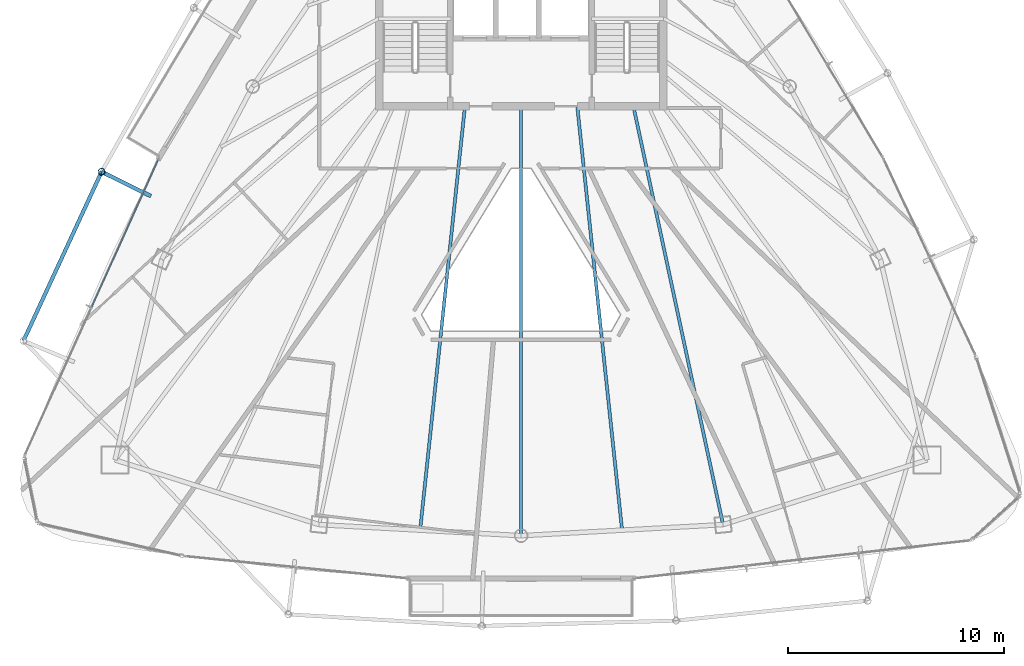
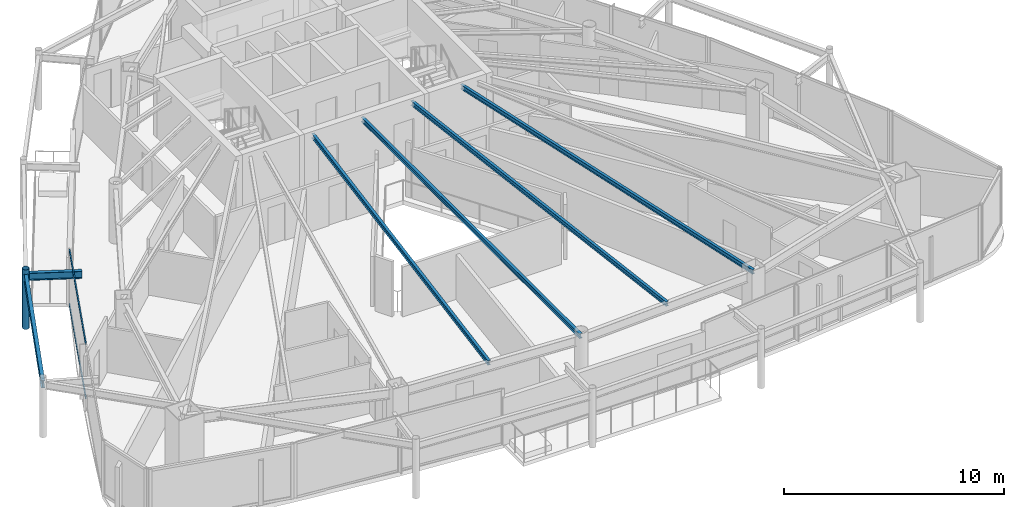
# One storey, part 9 of 32: 6 beams, 3 members, 1 element without a shape of its own.
"""IFC4 building model written with IfcOpenShell, lengths in metres."""

import ifcopenshell
import ifcopenshell.guid

model = None  # the IFC model being written
_history = None  # IfcOwnerHistory: only IFC2X3 demands one
_inside = {}  # id of a spatial element -> (the spatial element, [elements in it])
_under = {}  # id of a project, library or spatial element -> (it, [spatial elements below it])
_declared = {}  # id of a project -> (the project, [libraries it declares])
_typed = {}  # id of a type object -> (the type object, [elements of that type])
_made_of = {}  # id of a material, layer set ... -> (it, [elements and type objects made of it])


def new_model(schema):
    """Start an empty IFC model of exactly this schema.

    Asked for "IFC4X3", IfcOpenShell would pick the latest addendum, in which some entities
    have other attributes; the version numbers below select the first issue.
    IFC2X3 requires an IfcOwnerHistory on every rooted entity: one is made here for all.
    """
    global model, _history
    if schema == "IFC4X3":
        model = ifcopenshell.file(schema_version=(4, 3, 0, 0))
    else:
        model = ifcopenshell.file(schema=schema)
    _inside.clear()
    _under.clear()
    _declared.clear()
    _typed.clear()
    _made_of.clear()
    _history = None
    if model.schema == "IFC2X3":
        org = make("IfcOrganization", Name="unknown")
        user = make(
            "IfcPersonAndOrganization",
            ThePerson=make("IfcPerson", FamilyName="unknown"),
            TheOrganization=org,
        )
        app = make(
            "IfcApplication",
            ApplicationDeveloper=org,
            Version="unknown",
            ApplicationFullName="unknown",
            ApplicationIdentifier="unknown",
        )
        _history = make(
            "IfcOwnerHistory",
            OwningUser=user,
            OwningApplication=app,
            ChangeAction="ADDED",
            CreationDate=0,
        )
    return model


def make(cls, **values):
    """One entity of the class cls with the attributes given. An attribute that is None is left unset."""
    return model.create_entity(
        cls, **{name: value for name, value in values.items() if value is not None}
    )


def rooted(cls, **values):
    """An entity with a GlobalId (a new one), such as an element, a storey or a relation."""
    return make(cls, GlobalId=ifcopenshell.guid.new(), OwnerHistory=_history, **values)


def si_unit(unit_type, name, prefix=None):
    """IfcSIUnit, for example si_unit("LENGTHUNIT", "METRE", prefix="MILLI")."""
    return make("IfcSIUnit", UnitType=unit_type, Prefix=prefix, Name=name)


def assignment(units):
    """IfcUnitAssignment: the units of a project."""
    return None if units is None else make("IfcUnitAssignment", Units=units)


def point(xyz):
    """IfcCartesianPoint."""
    return None if xyz is None else make("IfcCartesianPoint", Coordinates=xyz)


def direction(xyz):
    """IfcDirection."""
    return None if xyz is None else make("IfcDirection", DirectionRatios=xyz)


def frame(location, z_axis=None, x_axis=None):
    """IfcAxis2Placement3D, a coordinate frame: its origin and axes. An axis left out is left unset."""
    return make(
        "IfcAxis2Placement3D",
        Location=point(location),
        Axis=direction(z_axis),
        RefDirection=direction(x_axis),
    )


def frame_2d(location, x_axis=None):
    """IfcAxis2Placement2D, a coordinate frame in the plane: its origin and x axis."""
    return make(
        "IfcAxis2Placement2D", Location=point(location), RefDirection=direction(x_axis)
    )


def origin():
    """The frame at (0, 0, 0) with its axes left unset."""
    return frame((0.0, 0.0, 0.0))


def origin_2d():
    """The frame at (0, 0) in the plane with its x axis left unset."""
    return frame_2d((0.0, 0.0))


def place(relative_to, where):
    """IfcLocalPlacement: puts the frame where relative to a parent placement (None: the world)."""
    return make(
        "IfcLocalPlacement", PlacementRelTo=relative_to, RelativePlacement=where
    )


def context(
    kind, dimensions, precision=None, world=None, true_north=None, identifier=None
):
    """IfcGeometricRepresentationContext, for example the 3D "Model" context."""
    return make(
        "IfcGeometricRepresentationContext",
        ContextIdentifier=identifier,
        ContextType=kind,
        CoordinateSpaceDimension=dimensions,
        Precision=precision,
        WorldCoordinateSystem=world,
        TrueNorth=true_north,
    )


def subcontext(parent, identifier, kind, view, scale=None):
    """IfcGeometricRepresentationSubContext, for example "Body" below "Model"."""
    return make(
        "IfcGeometricRepresentationSubContext",
        ContextIdentifier=identifier,
        ContextType=kind,
        ParentContext=parent,
        TargetScale=scale,
        TargetView=view,
    )


def project(units=None, contexts=None):
    """IfcProject with its units and contexts."""
    return rooted(
        "IfcProject",
        Name="project",
        RepresentationContexts=contexts,
        UnitsInContext=assignment(units),
    )


def spatial(cls, under=None, at=None, **own):
    """A site, building, storey or space (cls), placed at a placement, below another one or the project."""
    s = rooted(cls, ObjectPlacement=at, **own)
    if under is not None:
        _under.setdefault(under.id(), (under, []))[1].append(s)
    return s


def profile(cls, at=None, kind="AREA", **sizes):
    """A parametric profile (cls). Its sizes go by their IFC names, for example OverallWidth=200.0."""
    return make(cls, ProfileType=kind, Position=at, **sizes)


def hollow_rectangle(**sizes):
    """IfcRectangleHollowProfileDef."""
    return profile("IfcRectangleHollowProfileDef", **sizes)


def hollow_circle(**sizes):
    """IfcCircleHollowProfileDef."""
    return profile("IfcCircleHollowProfileDef", **sizes)


def i_section(**sizes):
    """IfcIShapeProfileDef."""
    return profile("IfcIShapeProfileDef", **sizes)


def extrude(swept, where, along, depth):
    """IfcExtrudedAreaSolid: the profile swept, set in the frame where, extruded along a direction by depth."""
    return make(
        "IfcExtrudedAreaSolid",
        SweptArea=swept,
        Position=where,
        ExtrudedDirection=direction(along),
        Depth=depth,
    )


def shape(context_of_items, identifier, shape_type, items):
    """IfcShapeRepresentation: the items that make up one representation, for example the "Body"."""
    return make(
        "IfcShapeRepresentation",
        ContextOfItems=context_of_items,
        RepresentationIdentifier=identifier,
        RepresentationType=shape_type,
        Items=items,
    )


def material(Name=None, Category=None):
    """IfcMaterial."""
    return make("IfcMaterial", Name=Name, Category=Category)


def layer(
    of_material, thickness, ventilated=None, Name=None, Category=None, Priority=None
):
    """IfcMaterialLayer: one layer of a wall or slab, of a material (None: an air gap)."""
    return make(
        "IfcMaterialLayer",
        Material=of_material,
        LayerThickness=thickness,
        IsVentilated=ventilated,
        Name=Name,
        Category=Category,
        Priority=Priority,
    )


def layer_set(layers, Name=None):
    """IfcMaterialLayerSet."""
    return make("IfcMaterialLayerSet", MaterialLayers=layers, LayerSetName=Name)


def material_profile(
    of_material, cross_section, Name=None, Category=None, Priority=None
):
    """IfcMaterialProfile: a cross section and its material."""
    return make(
        "IfcMaterialProfile",
        Name=Name,
        Material=of_material,
        Profile=cross_section,
        Priority=Priority,
        Category=Category,
    )


def profile_set(profiles, Name=None, composite=None):
    """IfcMaterialProfileSet."""
    return make(
        "IfcMaterialProfileSet",
        Name=Name,
        MaterialProfiles=profiles,
        CompositeProfile=composite,
    )


def made_of(thing, what):
    """Note that an element or type object is made of a material, layer set ...; save() writes the relation."""
    if what is not None:
        _made_of.setdefault(what.id(), (what, []))[1].append(thing)
    return thing


def type_object(cls, material=None, **own):
    """A type object (cls), such as IfcWallType, which elements share."""
    return made_of(rooted(cls, **own), material)


def element(
    cls,
    number,
    at=None,
    inside=None,
    cuts=None,
    type_object=None,
    material=None,
    context=None,
    identifier="Body",
    shape_type=None,
    held_by="IfcProductDefinitionShape",
    body=None,
    shapes=None,
    **own,
):
    """One element of the class cls, such as IfcWall. Its Tag is "e" and its number.

    at: its placement. inside: the storey or other place that contains it. cuts: it is an
    opening in that element (IfcRelVoidsElement). A single representation is given by context,
    identifier, shape_type and body (its items); several are given by shapes. held_by: the class
    of the entity that holds the representations. save() writes the other relations.
    """
    e = rooted(cls, Tag="e%d" % number, ObjectPlacement=at, **own)
    if body is not None:
        shapes = [shape(context, identifier, shape_type, body)]
    if shapes is not None:
        e.Representation = make(held_by, Representations=shapes)
    if inside is not None:
        _inside.setdefault(inside.id(), (inside, []))[1].append(e)
    if cuts is not None:
        rooted(
            "IfcRelVoidsElement", RelatingBuildingElement=cuts, RelatedOpeningElement=e
        )
    if type_object is not None:
        _typed.setdefault(type_object.id(), (type_object, []))[1].append(e)
    return made_of(e, material)


def aggregate(whole, parts):
    """IfcRelAggregates: a whole, such as a stair, and the parts it consists of."""
    return rooted("IfcRelAggregates", RelatingObject=whole, RelatedObjects=parts)


def save(model, path):
    """Write the relations noted so far, then the file.

    IfcRelAggregates (storeys below a building ...), IfcRelContainedInSpatialStructure (elements
    in a storey), IfcRelDefinesByType, IfcRelAssociatesMaterial and IfcRelDeclares: one each for
    every whole, place, type object, material and project.
    """
    for whole, parts in _under.values():
        aggregate(whole, parts)
    for where, things in _inside.values():
        rooted(
            "IfcRelContainedInSpatialStructure",
            RelatedElements=things,
            RelatingStructure=where,
        )
    for kind, things in _typed.values():
        rooted("IfcRelDefinesByType", RelatedObjects=things, RelatingType=kind)
    for what, things in _made_of.values():
        rooted("IfcRelAssociatesMaterial", RelatedObjects=things, RelatingMaterial=what)
    for by, libraries in _declared.values():
        rooted("IfcRelDeclares", RelatingContext=by, RelatedDefinitions=libraries)
    model.write(path)


model = new_model("IFC4")

# Units and contexts
model_context = context("Model", 3, precision=1e-05, world=origin(), true_north=direction((0.0, 1.0)))
body_context = subcontext(model_context, "Body", "Model", "MODEL_VIEW")
ifc_project = project(units=[si_unit("LENGTHUNIT", "METRE"), si_unit("AREAUNIT", "SQUARE_METRE"), si_unit("VOLUMEUNIT", "CUBIC_METRE"), si_unit("PLANEANGLEUNIT", "RADIAN"), si_unit("MASSUNIT", "GRAM", prefix="KILO")], contexts=[model_context])

# Site, building, storey
site_placement = place(None, origin())
site = spatial("IfcSite", under=ifc_project, at=site_placement, CompositionType="ELEMENT")
building_placement = place(site_placement, origin())
building = spatial("IfcBuilding", under=site, at=building_placement, Name="Orvanel Arch Residences", CompositionType="ELEMENT")
storey_placement = place(building_placement, frame((0.0, 0.0, 219.5)))
storey = spatial("IfcBuildingStorey", under=building, at=storey_placement, Name="L62", CompositionType="ELEMENT", Elevation=219.5)

# Beams
ifc_material_1 = material(Name="Structural steel AS/NZS 3679.1 Grade 300 (300 MPa)", Category="steel")
ifc_material_profile_1 = material_profile(ifc_material_1, i_section(OverallWidth=0.14599609375, OverallDepth=0.251953125, WebThickness=0.006103515625, FlangeThickness=0.008544921875, at=origin_2d()), Name="250UB31.4")
ifc_profile_set_1 = profile_set([ifc_material_profile_1], Name="Structural steel AS/NZS 3679.1 Grade 300 (300 MPa)")
beam_type_1 = type_object("IfcBeamType", Name="BJ-250UB", PredefinedType="JOIST", material=ifc_profile_set_1)
beam_1_placement = place(storey_placement, frame((38.199951171875, 26.72509765625, 2.93408203125), z_axis=(0.209547604985, -0.977798446125, 0.0), x_axis=(0.977798446125, 0.209547604985, 0.0)))
element("IfcBeam", 1, at=beam_1_placement, inside=storey, type_object=beam_type_1, Name="L62 SE Wing Floor Joist", PredefinedType="JOIST", context=body_context, shape_type="SweptSolid", body=[
    extrude(i_section(OverallWidth=0.14599609375, OverallDepth=0.251953125, WebThickness=0.006103515625, FlangeThickness=0.008544921875, at=origin_2d()), origin(), (0.0, 0.0, 1.0), 19.809814453125),
])
beam_2_placement = place(storey_placement, frame((33.0, 26.72509765625, 2.93408203125), z_axis=(0.0, -1.0, 0.0), x_axis=(1.0, 0.0, 0.0)))
element("IfcBeam", 2, at=beam_2_placement, inside=storey, type_object=beam_type_1, Name="L62 SSW Wing Floor Joist", PredefinedType="JOIST", context=body_context, shape_type="SweptSolid", body=[
    extrude(i_section(OverallWidth=0.14599609375, OverallDepth=0.251953125, WebThickness=0.006103515625, FlangeThickness=0.008544921875, at=origin_2d()), origin(), (0.0, 0.0, 1.0), 19.881103515625),
])
for number, where, z_axis, x_axis, name in (
    (3, (30.39990234375, 26.72509765625, 2.93408203125), (-0.105143936131, -0.994457014, 0.0), (0.994457014, -0.105143936131, 0.0), "L62 WSW2 Wing Floor Joist"),
    (4, (35.60009765625, 26.72509765625, 2.93408203125), (0.105143936131, -0.994457014, 0.0), (0.994457014, 0.105143936131, 0.0), "L62 ESE2 Wing Floor Joist"),
):
    element("IfcBeam", number, at=place(storey_placement, frame(where, z_axis=z_axis, x_axis=x_axis)), inside=storey, type_object=beam_type_1, Name=name, PredefinedType="JOIST", context=body_context, shape_type="SweptSolid", body=[
        extrude(i_section(OverallWidth=0.14599609375, OverallDepth=0.251953125, WebThickness=0.006103515625, FlangeThickness=0.008544921875, at=origin_2d()), origin(), (0.0, 0.0, 1.0), 19.734375),
    ])
ifc_material_profile_2 = material_profile(ifc_material_1, i_section(OverallWidth=0.177978515625, OverallDepth=0.406005859375, WebThickness=0.0078125, FlangeThickness=0.0126953125, at=origin_2d()), Name="410UB59.7")
ifc_profile_set_2 = profile_set([ifc_material_profile_2], Name="Structural steel AS/NZS 3679.1 Grade 300 (300 MPa)")
beam_type_2 = type_object("IfcBeamType", Name="OB-410UB-EXT", PredefinedType="SPANDREL", material=ifc_profile_set_2)
beam_3_placement = place(storey_placement, frame((15.863037109375, 22.56201171875, 2.85693359375), z_axis=(-0.89686462771, 0.442305143043, 0.0), x_axis=(-0.442305143043, -0.89686462771, 0.0)))
element("IfcBeam", 5, at=beam_3_placement, inside=storey, type_object=beam_type_2, Name="L62 Outer Frame Radial Tie Beam 03", PredefinedType="SPANDREL", context=body_context, shape_type="SweptSolid", body=[
    extrude(i_section(OverallWidth=0.177978515625, OverallDepth=0.406005859375, WebThickness=0.0078125, FlangeThickness=0.0126953125, at=origin_2d()), origin(), (0.0, 0.0, 1.0), 2.550048828125),
])
beam_4_placement = place(storey_placement, frame((13.575927734375, 23.68994140625, 2.85693359375), z_axis=(-0.419519874519, -0.907746151126, 0.0), x_axis=(0.907746151126, -0.419519874519, 0.0)))
element("IfcBeam", 6, at=beam_4_placement, inside=storey, type_object=beam_type_2, Name="L62 Outer Perimeter Floor Ring Beam 03", PredefinedType="SPANDREL", context=body_context, shape_type="SweptSolid", body=[
    extrude(i_section(OverallWidth=0.177978515625, OverallDepth=0.406005859375, WebThickness=0.0078125, FlangeThickness=0.0126953125, at=origin_2d()), origin(), (0.0, 0.0, 1.0), 8.616943359375),
])

# Member
ifc_material_2 = material(Name="Structural steel AS/NZS 1163 C350L0 (Grade 350)", Category="steel")
ifc_material_profile_3 = material_profile(ifc_material_2, hollow_circle(Radius=0.162109375, WallThickness=0.0126953125, at=origin_2d()), Name="CHS324x12.7")
ifc_profile_set_3 = profile_set([ifc_material_profile_3], Name="Structural steel AS/NZS 1163 C350L0 (Grade 350)")
member_type_1 = type_object("IfcMemberType", Name="ST-324CHS-EXT", PredefinedType="STRUT", material=ifc_profile_set_3)
member_1_placement = place(storey_placement, frame((13.575927734375, 23.68994140625, 0.0), z_axis=(0.0, 0.0, 1.0), x_axis=(1.0, 0.0, 0.0)))
element("IfcMember", 7, at=member_1_placement, inside=storey, type_object=member_type_1, Name="L62 Outer Perimeter Frame Post 03", PredefinedType="STRUT", context=body_context, shape_type="SweptSolid", body=[
    extrude(hollow_circle(Radius=0.162109375, WallThickness=0.0126953125, at=origin_2d()), origin(), (0.0, 0.0, 1.0), 3.300048828125),
])

# Curtain wall, members
ifc_material_3 = material(Name="Bronze-anodised aluminium AA6063-T6", Category="aluminium")
ifc_layer = layer(ifc_material_3, 0.175048828125)
ifc_layer_set = layer_set([ifc_layer], Name="Bronze-anodised aluminium AA6063-T6")
curtain_wall_type = type_object("IfcCurtainWallType", Name="CW4-HI-SYS", PredefinedType="NOTDEFINED", material=ifc_layer_set)
curtain_wall_placement = place(storey_placement, origin())
curtain_wall = element("IfcCurtainWall", 8, at=curtain_wall_placement, inside=storey, type_object=curtain_wall_type, Name="L62 CW4-HI-SYS Unitised Curtain Wall", PredefinedType="NOTDEFINED")
ifc_material_profile_4 = material_profile(ifc_material_3, hollow_rectangle(XDim=0.06005859375, YDim=0.1201171875, WallThickness=0.00341796875, at=origin_2d()), Name="ALU120x60x3.5")
ifc_profile_set_4 = profile_set([ifc_material_profile_4], Name="Bronze-anodised aluminium AA6063-T6")
member_type_2 = type_object("IfcMemberType", Name="TRN-120x60", PredefinedType="USERDEFINED", material=ifc_profile_set_4)
member_2_placement = place(storey_placement, frame((16.2001953125, 24.2568359375, 0.030029296875), z_axis=(-0.411346104945, -0.911479227381, 0.0), x_axis=(0.911479227381, -0.411346104945, 0.0)))
member_2 = element("IfcMember", 9, at=member_2_placement, type_object=member_type_2, Name="CW-S4 transom 1.1", ObjectType="TRANSOM", PredefinedType="USERDEFINED", context=body_context, shape_type="SweptSolid", body=[
    extrude(hollow_rectangle(XDim=0.06005859375, YDim=0.1201171875, WallThickness=0.00341796875, at=origin_2d()), origin(), (0.0, 0.0, 1.0), 7.4765625),
])
member_3_placement = place(storey_placement, frame((16.2001953125, 24.2568359375, 3.030029296875), z_axis=(-0.411346104945, -0.911479227381, 0.0), x_axis=(0.911479227381, -0.411346104945, 0.0)))
member_3 = element("IfcMember", 10, at=member_3_placement, type_object=member_type_2, Name="CW-S4 transom 1.2", ObjectType="TRANSOM", PredefinedType="USERDEFINED", context=body_context, shape_type="SweptSolid", body=[
    extrude(hollow_rectangle(XDim=0.06005859375, YDim=0.1201171875, WallThickness=0.00341796875, at=origin_2d()), origin(), (0.0, 0.0, 1.0), 7.4765625),
])
aggregate(curtain_wall, [member_2, member_3])

save(model, "model.ifc")
